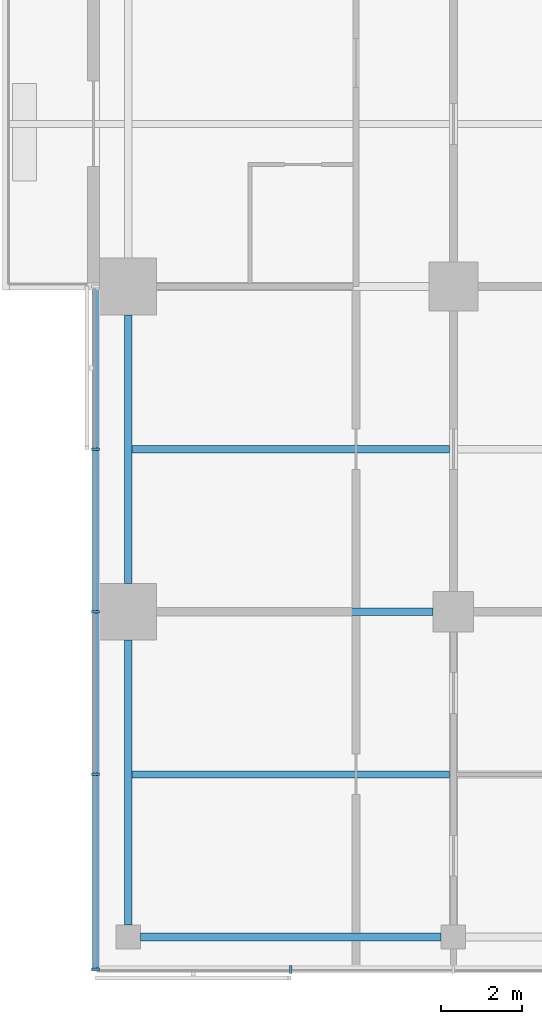
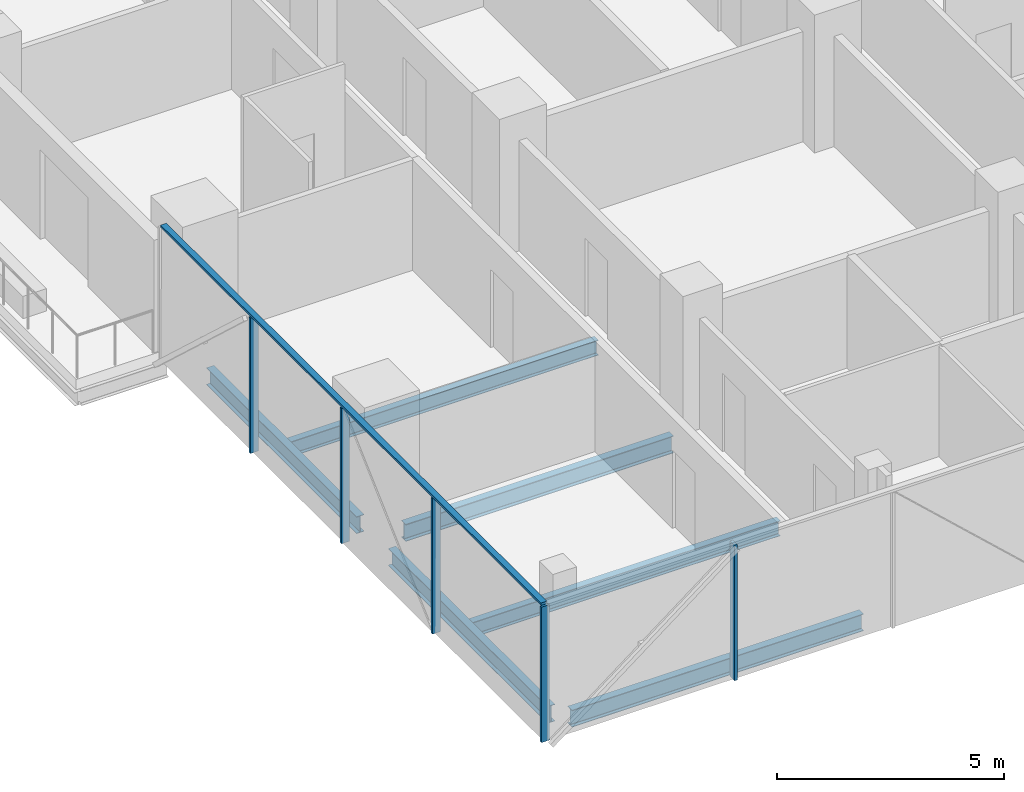
# One storey, part 2 of 27: 6 beams, 6 members, 2 elements without a shape of their own.
"""IFC4 building model written with IfcOpenShell, lengths in metres."""

from ifc_helpers import new_model, si_unit, direction, frame, origin, origin_2d, place, context, subcontext, project, spatial, rectangle, i_section, extrude, material, material_profile, profile_set, type_object, element, aggregate, save


model = new_model("IFC4")

# Units and contexts
model_context = context("Model", 3, precision=1e-05, world=origin(), true_north=direction((0.0, 1.0)))
body_context = subcontext(model_context, "Body", "Model", "MODEL_VIEW")
ifc_project = project(units=[si_unit("LENGTHUNIT", "METRE"), si_unit("AREAUNIT", "SQUARE_METRE"), si_unit("VOLUMEUNIT", "CUBIC_METRE"), si_unit("PLANEANGLEUNIT", "RADIAN"), si_unit("MASSUNIT", "GRAM", prefix="KILO")], contexts=[model_context])

# Site, building, storey
site_placement = place(None, origin())
site = spatial("IfcSite", under=ifc_project, at=site_placement, CompositionType="ELEMENT")
building_placement = place(site_placement, origin())
building = spatial("IfcBuilding", under=site, at=building_placement, Name="Crosswind Convention Tower", CompositionType="ELEMENT")
storey_placement = place(building_placement, frame((0.0, 0.0, 86.800048828125)))
storey = spatial("IfcBuildingStorey", under=building, at=storey_placement, Name="L16", CompositionType="ELEMENT", Elevation=86.800048828125)

# Beams
ifc_material_1 = material(Name="Steel S355", Category="steel")
ifc_material_profile_1 = material_profile(ifc_material_1, i_section(OverallWidth=0.1904296875, OverallDepth=0.457275390625, WebThickness=0.009033203125, FlangeThickness=0.014404296875, FilletRadius=0.01025390625, at=origin_2d()), Name="UB 457x191x75")
ifc_profile_set_1 = profile_set([ifc_material_profile_1], Name="Steel S355")
beam_type_1 = type_object("IfcBeamType", Name="Edge beam UB 457x191x75", PredefinedType="SPANDREL", material=ifc_profile_set_1)
beam_1_placement = place(storey_placement, frame((113.0, 64.300048828125, -0.508544921875), z_axis=(0.0, 1.0, 0.0), x_axis=(-1.0, 0.0, 0.0)))
element("IfcBeam", 1, at=beam_1_placement, inside=storey, type_object=beam_type_1, Name="B17 L16 edge beam 6", PredefinedType="SPANDREL", context=body_context, shape_type="SweptSolid", body=[
    extrude(i_section(OverallWidth=0.1904296875, OverallDepth=0.457275390625, WebThickness=0.009033203125, FlangeThickness=0.014404296875, FilletRadius=0.01025390625, at=origin_2d()), origin(), (0.0, 0.0, 1.0), 7.0),
])
beam_2_placement = place(storey_placement, frame((113.0, 72.699951171875, -0.508544921875), z_axis=(0.0, 1.0, 0.0), x_axis=(-1.0, 0.0, 0.0)))
element("IfcBeam", 2, at=beam_2_placement, inside=storey, type_object=beam_type_1, Name="B17 L16 edge beam 7", PredefinedType="SPANDREL", context=body_context, shape_type="SweptSolid", body=[
    extrude(i_section(OverallWidth=0.1904296875, OverallDepth=0.457275390625, WebThickness=0.009033203125, FlangeThickness=0.014404296875, FilletRadius=0.01025390625, at=origin_2d()), origin(), (0.0, 0.0, 1.0), 6.60009765625),
])
beam_3_placement = place(storey_placement, frame((113.300048828125, 64.0, -0.508544921875), z_axis=(1.0, 0.0, 0.0), x_axis=(0.0, 1.0, 0.0)))
element("IfcBeam", 3, at=beam_3_placement, inside=storey, type_object=beam_type_1, Name="B17 L16 edge beam 12", PredefinedType="SPANDREL", context=body_context, shape_type="SweptSolid", body=[
    extrude(i_section(OverallWidth=0.1904296875, OverallDepth=0.457275390625, WebThickness=0.009033203125, FlangeThickness=0.014404296875, FilletRadius=0.01025390625, at=origin_2d()), origin(), (0.0, 0.0, 1.0), 7.39990234375),
])
ifc_material_profile_2 = material_profile(ifc_material_1, i_section(OverallWidth=0.19140625, OverallDepth=0.460205078125, WebThickness=0.010009765625, FlangeThickness=0.01611328125, FilletRadius=0.01025390625, at=origin_2d()), Name="UB 457x191x82")
ifc_profile_set_2 = profile_set([ifc_material_profile_2], Name="Steel S355")
beam_type_2 = type_object("IfcBeamType", Name="Girder UB 457x191x82", PredefinedType="BEAM", material=ifc_profile_set_2)
beam_4_placement = place(storey_placement, frame((113.699951171875, 72.0, -0.51025390625), z_axis=(1.0, 0.0, 0.0), x_axis=(0.0, 1.0, 0.0)))
element("IfcBeam", 4, at=beam_4_placement, inside=storey, type_object=beam_type_2, Name="B3 L16 girder 1", PredefinedType="BEAM", context=body_context, shape_type="SweptSolid", body=[
    extrude(i_section(OverallWidth=0.19140625, OverallDepth=0.460205078125, WebThickness=0.010009765625, FlangeThickness=0.01611328125, FilletRadius=0.01025390625, at=origin_2d()), origin(), (0.0, 0.0, 1.0), 6.800048828125),
])

# Curtain wall, members
ifc_material_2 = material(Name="Aluminium unitised curtain wall", Category="aluminium")
curtain_wall_type = type_object("IfcCurtainWallType", Name="HOTEL UNITISED WALL 200", PredefinedType="USERDEFINED", material=ifc_material_2)
curtain_wall_1_placement = place(storey_placement, origin())
curtain_wall_1 = element("IfcCurtainWall", 5, at=curtain_wall_1_placement, inside=storey, type_object=curtain_wall_type, Name="CW2 L16 S-W 1", ObjectType="UNITISED", PredefinedType="USERDEFINED")
ifc_material_3 = material(Name="Aluminium mullion", Category="aluminium")
ifc_material_profile_3 = material_profile(ifc_material_3, rectangle(XDim=0.199951171875, YDim=0.06494140625, at=origin_2d()), Name="AL 200X65")
ifc_profile_set_3 = profile_set([ifc_material_profile_3], Name="Aluminium mullion")
member_type_1 = type_object("IfcMemberType", Name="MULLION 65X200", PredefinedType="MULLION", material=ifc_profile_set_3)
member_1_placement = place(storey_placement, frame((112.199951171875, 76.0, -0.280029296875), z_axis=(0.0, 0.0, 1.0), x_axis=(-1.0, 0.0, 0.0)))
member_1 = element("IfcMember", 6, at=member_1_placement, type_object=member_type_1, Name="CW2 mullion 2", PredefinedType="MULLION", context=body_context, shape_type="SweptSolid", body=[
    extrude(rectangle(XDim=0.199951171875, YDim=0.06494140625, at=origin_2d()), origin(), (0.0, 0.0, 1.0), 3.635009765625),
])
member_2_placement = place(storey_placement, frame((112.199951171875, 72.0, -0.280029296875), z_axis=(0.0, 0.0, 1.0), x_axis=(-1.0, 0.0, 0.0)))
member_2 = element("IfcMember", 7, at=member_2_placement, type_object=member_type_1, Name="CW2 mullion 3", PredefinedType="MULLION", context=body_context, shape_type="SweptSolid", body=[
    extrude(rectangle(XDim=0.199951171875, YDim=0.06494140625, at=origin_2d()), origin(), (0.0, 0.0, 1.0), 3.635009765625),
])
member_3_placement = place(storey_placement, frame((112.199951171875, 68.0, -0.280029296875), z_axis=(0.0, 0.0, 1.0), x_axis=(-1.0, 0.0, 0.0)))
member_3 = element("IfcMember", 8, at=member_3_placement, type_object=member_type_1, Name="CW2 mullion 4", PredefinedType="MULLION", context=body_context, shape_type="SweptSolid", body=[
    extrude(rectangle(XDim=0.199951171875, YDim=0.06494140625, at=origin_2d()), origin(), (0.0, 0.0, 1.0), 3.635009765625),
])
member_4_placement = place(storey_placement, frame((112.199951171875, 63.199951171875, -0.280029296875), z_axis=(0.0, 0.0, 1.0), x_axis=(-1.0, 0.0, 0.0)))
member_4 = element("IfcMember", 9, at=member_4_placement, type_object=member_type_1, Name="CW2 mullion 5", PredefinedType="MULLION", context=body_context, shape_type="SweptSolid", body=[
    extrude(rectangle(XDim=0.199951171875, YDim=0.06494140625, at=origin_2d()), origin(), (0.0, 0.0, 1.0), 3.635009765625),
])

# Curtain wall, member
curtain_wall_2_placement = place(storey_placement, origin())
curtain_wall_2 = element("IfcCurtainWall", 10, at=curtain_wall_2_placement, inside=storey, type_object=curtain_wall_type, Name="CW2 L16 S-TIP 1", ObjectType="UNITISED", PredefinedType="USERDEFINED")
member_5_placement = place(storey_placement, frame((117.0, 63.199951171875, -0.280029296875), z_axis=(0.0, 0.0, 1.0), x_axis=(0.0, -1.0, 0.0)))
member_5 = element("IfcMember", 11, at=member_5_placement, type_object=member_type_1, Name="CW2 mullion 2", PredefinedType="MULLION", context=body_context, shape_type="SweptSolid", body=[
    extrude(rectangle(XDim=0.199951171875, YDim=0.06494140625, at=origin_2d()), origin(), (0.0, 0.0, 1.0), 3.635009765625),
])
aggregate(curtain_wall_2, [member_5])

# Beams
ifc_material_profile_4 = material_profile(ifc_material_1, i_section(OverallWidth=0.177734375, OverallDepth=0.406494140625, WebThickness=0.0078125, FlangeThickness=0.0126953125, FilletRadius=0.01025390625, at=origin_2d()), Name="UB 406x178x60")
ifc_profile_set_4 = profile_set([ifc_material_profile_4], Name="Steel S355")
beam_type_3 = type_object("IfcBeamType", Name="Secondary beam UB 406x178x60", PredefinedType="JOIST", material=ifc_profile_set_4)
for number, where, z_axis, x_axis, name in (
    (12, (113.09521484375, 68.0, -0.483154296875), (1.0, 0.0, 0.0), (0.0, 1.0, 0.0), "B10 L16 secondary beam 7"),
    (13, (113.09521484375, 76.0, -0.483154296875), (1.0, 0.0, 0.0), (0.0, 1.0, 0.0), "B10 L16 secondary beam 8"),
):
    element("IfcBeam", number, at=place(storey_placement, frame(where, z_axis=z_axis, x_axis=x_axis)), inside=storey, type_object=beam_type_3, Name=name, PredefinedType="JOIST", context=body_context, shape_type="SweptSolid", body=[
        extrude(i_section(OverallWidth=0.177734375, OverallDepth=0.406494140625, WebThickness=0.0078125, FlangeThickness=0.0126953125, FilletRadius=0.01025390625, at=origin_2d()), origin(), (0.0, 0.0, 1.0), 7.80908203125),
    ])

# Member
ifc_material_4 = material(Name="Aluminium transom", Category="aluminium")
ifc_material_profile_5 = material_profile(ifc_material_4, rectangle(XDim=0.14990234375, YDim=0.06494140625, at=origin_2d()), Name="AL 150X65")
ifc_profile_set_5 = profile_set([ifc_material_profile_5], Name="Aluminium transom")
member_type_2 = type_object("IfcMemberType", Name="TRANSOM 65X150", PredefinedType="USERDEFINED", material=ifc_profile_set_5)
member_6_placement = place(storey_placement, frame((112.199951171875, 79.967529296875, 3.387451171875), z_axis=(0.0, -1.0, 0.0), x_axis=(1.0, 0.0, 0.0)))
member_6 = element("IfcMember", 14, at=member_6_placement, type_object=member_type_2, Name="CW2 transom", ObjectType="TRANSOM", PredefinedType="USERDEFINED", context=body_context, shape_type="SweptSolid", body=[
    extrude(rectangle(XDim=0.14990234375, YDim=0.06494140625, at=origin_2d()), origin(), (0.0, 0.0, 1.0), 16.735107421875),
])

aggregate(curtain_wall_1, [member_1, member_2, member_3, member_4, member_6])

save(model, "model.ifc")
